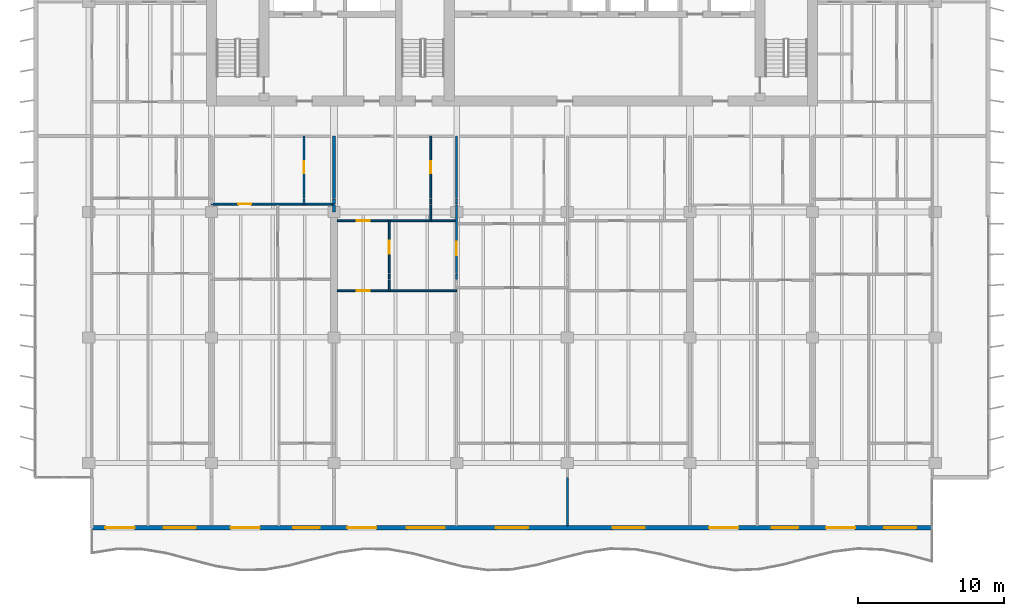
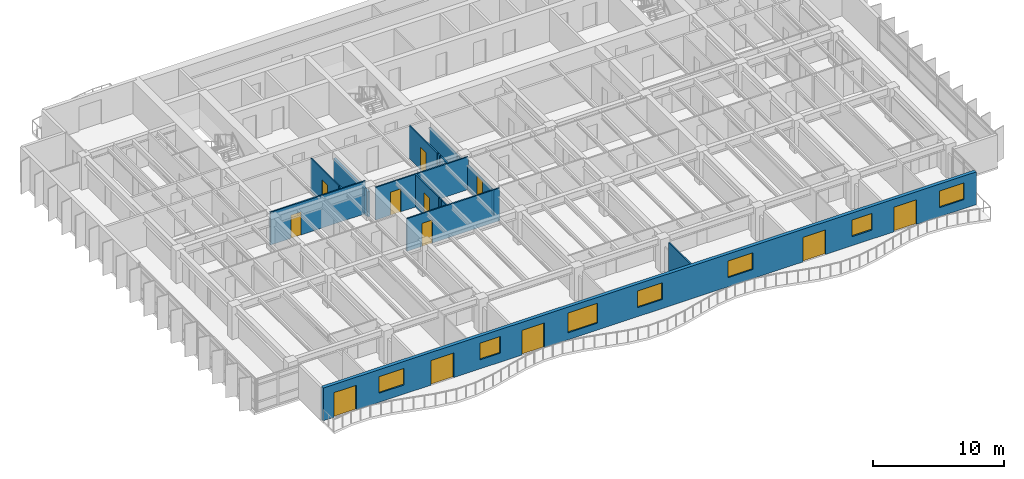
# One storey, part 9 of 18: 20 walls, 12 doors, 7 windows, 19 openings.
"""IFC4 building model written with IfcOpenShell, lengths in metres."""

from ifc_helpers import new_model, si_unit, direction, frame, frame_2d, origin, place, context, subcontext, project, spatial, rectangle, extrude, material, layer, layer_set, type_object, element, fill, save


model = new_model("IFC4")

# Units and contexts
model_context = context("Model", 3, precision=1e-05, world=origin(), true_north=direction((0.0, 1.0)))
body_context = subcontext(model_context, "Body", "Model", "MODEL_VIEW")
ifc_project = project(units=[si_unit("LENGTHUNIT", "METRE"), si_unit("AREAUNIT", "SQUARE_METRE"), si_unit("VOLUMEUNIT", "CUBIC_METRE"), si_unit("PLANEANGLEUNIT", "RADIAN"), si_unit("MASSUNIT", "GRAM", prefix="KILO")], contexts=[model_context])

# Site, building, storey
site_placement = place(None, origin())
site = spatial("IfcSite", under=ifc_project, at=site_placement, CompositionType="ELEMENT")
building_placement = place(site_placement, origin())
building = spatial("IfcBuilding", under=site, at=building_placement, Name="Caelmar Bay Residences", CompositionType="ELEMENT")
storey_placement = place(building_placement, frame((0.0, 0.0, 177.0)))
storey = spatial("IfcBuildingStorey", under=building, at=storey_placement, Name="L49", CompositionType="ELEMENT", Elevation=177.0)

# Wall, openings, doors, windows
ifc_material_1 = material(Name="Precast concrete f'c 40 MPa (6,000 psi)", Category="concrete")
ifc_layer_1 = layer(ifc_material_1, 0.300048828125)
ifc_layer_set_1 = layer_set([ifc_layer_1], Name="Precast concrete f'c 40 MPa (6,000 psi)")
wall_type_1 = type_object("IfcWallType", Name="W-EXT-300", PredefinedType="STANDARD", material=ifc_layer_set_1)
wall_1_placement = place(storey_placement, frame((67.699951171875, 7.75, 0.0), z_axis=(0.0, 0.0, 1.0), x_axis=(-1.0, 0.0, 0.0)))
wall_1 = element("IfcWall", 1, at=wall_1_placement, inside=storey, type_object=wall_type_1, Name="L49 South Bayfront Exterior Wall", PredefinedType="STANDARD", context=body_context, shape_type="SweptSolid", body=[
    extrude(rectangle(XDim=57.599853515625, YDim=0.300048828125, at=frame_2d((28.7998046875, 0.0))), origin(), (0.0, 0.0, 1.0), 3.050048828125),
])
opening_1_placement = place(wall_1_placement, frame((54.673095703125, 0.0, 0.0)))
opening_1 = element("IfcOpeningElement", 2, at=opening_1_placement, cuts=wall_1, Name="Opening L49-BD01", PredefinedType="OPENING", context=body_context, shape_type="SweptSolid", body=[
    extrude(rectangle(XDim=2.0, YDim=2.300048828125, at=frame_2d((1.0, 1.14990234375))), frame((0.0, 0.159912109375, 0.0), z_axis=(0.0, -1.0, 0.0), x_axis=(1.0, 0.0, 0.0)), (0.0, 0.0, 1.0), 0.320068359375),
])
opening_2_placement = place(wall_1_placement, frame((50.472900390625, 0.0, 0.85009765625)))
opening_2 = element("IfcOpeningElement", 3, at=opening_2_placement, cuts=wall_1, Name="Opening WN2", PredefinedType="OPENING", context=body_context, shape_type="SweptSolid", body=[
    extrude(rectangle(XDim=2.199951171875, YDim=1.550048828125, at=frame_2d((1.10009765625, 0.77490234375))), frame((0.0, 0.159912109375, 0.0), z_axis=(0.0, -1.0, 0.0), x_axis=(1.0, 0.0, 0.0)), (0.0, 0.0, 1.0), 0.320068359375),
])
opening_3_placement = place(wall_1_placement, frame((46.090087890625, 0.0, 0.0)))
opening_3 = element("IfcOpeningElement", 4, at=opening_3_placement, cuts=wall_1, Name="Opening L49-BD02", PredefinedType="OPENING", context=body_context, shape_type="SweptSolid", body=[
    extrude(rectangle(XDim=2.0, YDim=2.300048828125, at=frame_2d((1.0, 1.14990234375))), frame((0.0, 0.159912109375, 0.0), z_axis=(0.0, -1.0, 0.0), x_axis=(1.0, 0.0, 0.0)), (0.0, 0.0, 1.0), 0.320068359375),
])
opening_4_placement = place(wall_1_placement, frame((41.989990234375, 0.0, 0.85009765625)))
opening_4 = element("IfcOpeningElement", 5, at=opening_4_placement, cuts=wall_1, Name="Opening WN1", PredefinedType="OPENING", context=body_context, shape_type="SweptSolid", body=[
    extrude(rectangle(XDim=1.800048828125, YDim=1.550048828125, at=frame_2d((0.89990234375, 0.77490234375))), frame((0.0, 0.159912109375, 0.0), z_axis=(0.0, -1.0, 0.0), x_axis=(1.0, 0.0, 0.0)), (0.0, 0.0, 1.0), 0.320068359375),
])
opening_5_placement = place(wall_1_placement, frame((38.090087890625, 0.0, 0.0)))
opening_5 = element("IfcOpeningElement", 6, at=opening_5_placement, cuts=wall_1, Name="Opening L49-BD03", PredefinedType="OPENING", context=body_context, shape_type="SweptSolid", body=[
    extrude(rectangle(XDim=2.0, YDim=2.300048828125, at=frame_2d((1.0, 1.14990234375))), frame((0.0, 0.159912109375, 0.0), z_axis=(0.0, -1.0, 0.0), x_axis=(1.0, 0.0, 0.0)), (0.0, 0.0, 1.0), 0.320068359375),
])
opening_6_placement = place(wall_1_placement, frame((33.409912109375, 0.0, 0.64990234375)))
opening_6 = element("IfcOpeningElement", 7, at=opening_6_placement, cuts=wall_1, Name="Opening WN3", PredefinedType="OPENING", context=body_context, shape_type="SweptSolid", body=[
    extrude(rectangle(XDim=2.60009765625, YDim=1.85009765625, at=frame_2d((1.300048828125, 0.925048828125))), frame((0.0, 0.159912109375, 0.0), z_axis=(0.0, -1.0, 0.0), x_axis=(1.0, 0.0, 0.0)), (0.0, 0.0, 1.0), 0.320068359375),
])
opening_7_placement = place(wall_1_placement, frame((27.699951171875, 0.0, 0.85009765625)))
opening_7 = element("IfcOpeningElement", 8, at=opening_7_placement, cuts=wall_1, Name="Opening WN2", PredefinedType="OPENING", context=body_context, shape_type="SweptSolid", body=[
    extrude(rectangle(XDim=2.199951171875, YDim=1.550048828125, at=frame_2d((1.10009765625, 0.77490234375))), frame((0.0, 0.159912109375, 0.0), z_axis=(0.0, -1.0, 0.0), x_axis=(1.0, 0.0, 0.0)), (0.0, 0.0, 1.0), 0.320068359375),
])
opening_8_placement = place(wall_1_placement, frame((19.699951171875, 0.0, 0.85009765625)))
opening_8 = element("IfcOpeningElement", 9, at=opening_8_placement, cuts=wall_1, Name="Opening WN2", PredefinedType="OPENING", context=body_context, shape_type="SweptSolid", body=[
    extrude(rectangle(XDim=2.199951171875, YDim=1.550048828125, at=frame_2d((1.10009765625, 0.77490234375))), frame((0.0, 0.159912109375, 0.0), z_axis=(0.0, -1.0, 0.0), x_axis=(1.0, 0.0, 0.0)), (0.0, 0.0, 1.0), 0.320068359375),
])
opening_9_placement = place(wall_1_placement, frame((13.2900390625, 0.0, 0.0)))
opening_9 = element("IfcOpeningElement", 10, at=opening_9_placement, cuts=wall_1, Name="Opening L49-BD04", PredefinedType="OPENING", context=body_context, shape_type="SweptSolid", body=[
    extrude(rectangle(XDim=2.0, YDim=2.300048828125, at=frame_2d((1.0, 1.14990234375))), frame((0.0, 0.159912109375, 0.0), z_axis=(0.0, -1.0, 0.0), x_axis=(1.0, 0.0, 0.0)), (0.0, 0.0, 1.0), 0.320068359375),
])
opening_10_placement = place(wall_1_placement, frame((9.18994140625, 0.0, 0.85009765625)))
opening_10 = element("IfcOpeningElement", 11, at=opening_10_placement, cuts=wall_1, Name="Opening WN1", PredefinedType="OPENING", context=body_context, shape_type="SweptSolid", body=[
    extrude(rectangle(XDim=1.800048828125, YDim=1.550048828125, at=frame_2d((0.89990234375, 0.77490234375))), frame((0.0, 0.159912109375, 0.0), z_axis=(0.0, -1.0, 0.0), x_axis=(1.0, 0.0, 0.0)), (0.0, 0.0, 1.0), 0.320068359375),
])
opening_11_placement = place(wall_1_placement, frame((5.27294921875, 0.0, 0.0)))
opening_11 = element("IfcOpeningElement", 12, at=opening_11_placement, cuts=wall_1, Name="Opening L49-BD05", PredefinedType="OPENING", context=body_context, shape_type="SweptSolid", body=[
    extrude(rectangle(XDim=2.0, YDim=2.300048828125, at=frame_2d((1.0, 1.14990234375))), frame((0.0, 0.159912109375, 0.0), z_axis=(0.0, -1.0, 0.0), x_axis=(1.0, 0.0, 0.0)), (0.0, 0.0, 1.0), 0.320068359375),
])
opening_12_placement = place(wall_1_placement, frame((1.072998046875, 0.0, 0.85009765625)))
opening_12 = element("IfcOpeningElement", 13, at=opening_12_placement, cuts=wall_1, Name="Opening WN2", PredefinedType="OPENING", context=body_context, shape_type="SweptSolid", body=[
    extrude(rectangle(XDim=2.199951171875, YDim=1.550048828125, at=frame_2d((1.10009765625, 0.77490234375))), frame((0.0, 0.159912109375, 0.0), z_axis=(0.0, -1.0, 0.0), x_axis=(1.0, 0.0, 0.0)), (0.0, 0.0, 1.0), 0.320068359375),
])
ifc_material_2 = material(Name="Anodised bronze thermally broken sliding glass door", Category="glass")
ifc_layer_2 = layer(ifc_material_2, 0.050048828125)
ifc_layer_set_2 = layer_set([ifc_layer_2], Name="Anodised bronze thermally broken sliding glass door")
door_type_1 = type_object("IfcDoorType", Name="D-BAL-2000", OperationType="DOUBLE_DOOR_SLIDING", PredefinedType="DOOR", material=ifc_layer_set_2)
door_1_placement = place(opening_1_placement, origin())
door_1 = element("IfcDoor", 14, at=door_1_placement, inside=storey, type_object=door_type_1, Name="L49 Residence 01 Living Room Balcony Door", OperationType="DOUBLE_DOOR_SLIDING", OverallHeight=2.300048828125, OverallWidth=2.0, PredefinedType="DOOR", context=body_context, shape_type="SweptSolid", body=[
    extrude(rectangle(XDim=2.0, YDim=2.300048828125, at=frame_2d((1.0, 1.14990234375))), frame((0.0, 0.02490234375, 0.0), z_axis=(0.0, -1.0, 0.0), x_axis=(1.0, 0.0, 0.0)), (0.0, 0.0, 1.0), 0.050048828125),
])
fill(opening_1, door_1)
door_2_placement = place(opening_3_placement, origin())
door_2 = element("IfcDoor", 15, at=door_2_placement, inside=storey, type_object=door_type_1, Name="L49 Residence 02 Penthouse Living Salon Balcony Door", OperationType="DOUBLE_DOOR_SLIDING", OverallHeight=2.300048828125, OverallWidth=2.0, PredefinedType="DOOR", context=body_context, shape_type="SweptSolid", body=[
    extrude(rectangle(XDim=2.0, YDim=2.300048828125, at=frame_2d((1.0, 1.14990234375))), frame((0.0, 0.02490234375, 0.0), z_axis=(0.0, -1.0, 0.0), x_axis=(1.0, 0.0, 0.0)), (0.0, 0.0, 1.0), 0.050048828125),
])
fill(opening_3, door_2)
door_3_placement = place(opening_5_placement, origin())
door_3 = element("IfcDoor", 16, at=door_3_placement, inside=storey, type_object=door_type_1, Name="L49 Residence 03 Penthouse Living Salon Balcony Door", OperationType="DOUBLE_DOOR_SLIDING", OverallHeight=2.300048828125, OverallWidth=2.0, PredefinedType="DOOR", context=body_context, shape_type="SweptSolid", body=[
    extrude(rectangle(XDim=2.0, YDim=2.300048828125, at=frame_2d((1.0, 1.14990234375))), frame((0.0, 0.02490234375, 0.0), z_axis=(0.0, -1.0, 0.0), x_axis=(1.0, 0.0, 0.0)), (0.0, 0.0, 1.0), 0.050048828125),
])
fill(opening_5, door_3)
door_4_placement = place(opening_9_placement, origin())
door_4 = element("IfcDoor", 17, at=door_4_placement, inside=storey, type_object=door_type_1, Name="L49 Residence 04 Penthouse Living Salon Balcony Door", OperationType="DOUBLE_DOOR_SLIDING", OverallHeight=2.300048828125, OverallWidth=2.0, PredefinedType="DOOR", context=body_context, shape_type="SweptSolid", body=[
    extrude(rectangle(XDim=2.0, YDim=2.300048828125, at=frame_2d((1.0, 1.14990234375))), frame((0.0, 0.02490234375, 0.0), z_axis=(0.0, -1.0, 0.0), x_axis=(1.0, 0.0, 0.0)), (0.0, 0.0, 1.0), 0.050048828125),
])
fill(opening_9, door_4)
door_5_placement = place(opening_11_placement, origin())
door_5 = element("IfcDoor", 18, at=door_5_placement, inside=storey, type_object=door_type_1, Name="L49 Residence 05 Living Room Balcony Door", OperationType="DOUBLE_DOOR_SLIDING", OverallHeight=2.300048828125, OverallWidth=2.0, PredefinedType="DOOR", context=body_context, shape_type="SweptSolid", body=[
    extrude(rectangle(XDim=2.0, YDim=2.300048828125, at=frame_2d((1.0, 1.14990234375))), frame((0.0, 0.02490234375, 0.0), z_axis=(0.0, -1.0, 0.0), x_axis=(1.0, 0.0, 0.0)), (0.0, 0.0, 1.0), 0.050048828125),
])
fill(opening_11, door_5)
ifc_material_3 = material(Name="Bronze aluminium frame with laminated low-E glass", Category="aluminium")
ifc_layer_3 = layer(ifc_material_3, 0.06005859375)
ifc_layer_set_3 = layer_set([ifc_layer_3], Name="Bronze aluminium frame with laminated low-E glass")
window_type_1 = type_object("IfcWindowType", Name="WIN-BR-1800", PartitioningType="SINGLE_PANEL", PredefinedType="WINDOW", material=ifc_layer_set_3)
window_1_placement = place(opening_4_placement, origin())
window_1 = element("IfcWindow", 19, at=window_1_placement, inside=storey, type_object=window_type_1, Name="L49 Residence 02 Primary Bedroom Window", OverallHeight=1.550048828125, OverallWidth=1.800048828125, PartitioningType="SINGLE_PANEL", PredefinedType="WINDOW", context=body_context, shape_type="SweptSolid", body=[
    extrude(rectangle(XDim=1.800048828125, YDim=1.550048828125, at=frame_2d((0.89990234375, 0.77490234375))), frame((0.0, 0.030029296875, 0.0), z_axis=(0.0, -1.0, 0.0), x_axis=(1.0, 0.0, 0.0)), (0.0, 0.0, 1.0), 0.06005859375),
])
fill(opening_4, window_1)
window_2_placement = place(opening_10_placement, origin())
window_2 = element("IfcWindow", 20, at=window_2_placement, inside=storey, type_object=window_type_1, Name="L49 Residence 04 Primary Bedroom Window", OverallHeight=1.550048828125, OverallWidth=1.800048828125, PartitioningType="SINGLE_PANEL", PredefinedType="WINDOW", context=body_context, shape_type="SweptSolid", body=[
    extrude(rectangle(XDim=1.800048828125, YDim=1.550048828125, at=frame_2d((0.89990234375, 0.77490234375))), frame((0.0, 0.030029296875, 0.0), z_axis=(0.0, -1.0, 0.0), x_axis=(1.0, 0.0, 0.0)), (0.0, 0.0, 1.0), 0.06005859375),
])
fill(opening_10, window_2)
ifc_layer_4 = layer(ifc_material_3, 0.06005859375)
ifc_layer_set_4 = layer_set([ifc_layer_4], Name="Bronze aluminium frame with laminated low-E glass")
window_type_2 = type_object("IfcWindowType", Name="WIN-BR-2200", PartitioningType="SINGLE_PANEL", PredefinedType="WINDOW", material=ifc_layer_set_4)
window_3_placement = place(opening_2_placement, origin())
window_3 = element("IfcWindow", 21, at=window_3_placement, inside=storey, type_object=window_type_2, Name="L49 Residence 01 Primary Bedroom Window", OverallHeight=1.550048828125, OverallWidth=2.199951171875, PartitioningType="SINGLE_PANEL", PredefinedType="WINDOW", context=body_context, shape_type="SweptSolid", body=[
    extrude(rectangle(XDim=2.199951171875, YDim=1.550048828125, at=frame_2d((1.10009765625, 0.77490234375))), frame((0.0, 0.030029296875, 0.0), z_axis=(0.0, -1.0, 0.0), x_axis=(1.0, 0.0, 0.0)), (0.0, 0.0, 1.0), 0.06005859375),
])
fill(opening_2, window_3)
window_4_placement = place(opening_7_placement, origin())
window_4 = element("IfcWindow", 22, at=window_4_placement, inside=storey, type_object=window_type_2, Name="L49 Residence 03 Primary Bedroom 1 Window", OverallHeight=1.550048828125, OverallWidth=2.199951171875, PartitioningType="SINGLE_PANEL", PredefinedType="WINDOW", context=body_context, shape_type="SweptSolid", body=[
    extrude(rectangle(XDim=2.199951171875, YDim=1.550048828125, at=frame_2d((1.10009765625, 0.77490234375))), frame((0.0, 0.030029296875, 0.0), z_axis=(0.0, -1.0, 0.0), x_axis=(1.0, 0.0, 0.0)), (0.0, 0.0, 1.0), 0.06005859375),
])
fill(opening_7, window_4)
window_5_placement = place(opening_8_placement, origin())
window_5 = element("IfcWindow", 23, at=window_5_placement, inside=storey, type_object=window_type_2, Name="L49 Residence 03 Primary Bedroom 2 Window", OverallHeight=1.550048828125, OverallWidth=2.199951171875, PartitioningType="SINGLE_PANEL", PredefinedType="WINDOW", context=body_context, shape_type="SweptSolid", body=[
    extrude(rectangle(XDim=2.199951171875, YDim=1.550048828125, at=frame_2d((1.10009765625, 0.77490234375))), frame((0.0, 0.030029296875, 0.0), z_axis=(0.0, -1.0, 0.0), x_axis=(1.0, 0.0, 0.0)), (0.0, 0.0, 1.0), 0.06005859375),
])
fill(opening_8, window_5)
window_6_placement = place(opening_12_placement, origin())
window_6 = element("IfcWindow", 24, at=window_6_placement, inside=storey, type_object=window_type_2, Name="L49 Residence 05 Primary Bedroom Window", OverallHeight=1.550048828125, OverallWidth=2.199951171875, PartitioningType="SINGLE_PANEL", PredefinedType="WINDOW", context=body_context, shape_type="SweptSolid", body=[
    extrude(rectangle(XDim=2.199951171875, YDim=1.550048828125, at=frame_2d((1.10009765625, 0.77490234375))), frame((0.0, 0.030029296875, 0.0), z_axis=(0.0, -1.0, 0.0), x_axis=(1.0, 0.0, 0.0)), (0.0, 0.0, 1.0), 0.06005859375),
])
fill(opening_12, window_6)
ifc_layer_5 = layer(ifc_material_3, 0.06005859375)
ifc_layer_set_5 = layer_set([ifc_layer_5], Name="Bronze aluminium frame with laminated low-E glass")
window_type_3 = type_object("IfcWindowType", Name="WIN-LIV-2600", PartitioningType="SINGLE_PANEL", PredefinedType="WINDOW", material=ifc_layer_set_5)
window_7_placement = place(opening_6_placement, origin())
window_7 = element("IfcWindow", 25, at=window_7_placement, inside=storey, type_object=window_type_3, Name="L49 Residence 03 Penthouse Living Salon Panoramic Window", OverallHeight=1.85009765625, OverallWidth=2.60009765625, PartitioningType="SINGLE_PANEL", PredefinedType="WINDOW", context=body_context, shape_type="SweptSolid", body=[
    extrude(rectangle(XDim=2.60009765625, YDim=1.85009765625, at=frame_2d((1.300048828125, 0.925048828125))), frame((0.0, 0.030029296875, 0.0), z_axis=(0.0, -1.0, 0.0), x_axis=(1.0, 0.0, 0.0)), (0.0, 0.0, 1.0), 0.06005859375),
])
fill(opening_6, window_7)

# Wall
ifc_material_4 = material(Name="Acoustic metal-stud gypsum partition 120 mm")
ifc_layer_6 = layer(ifc_material_4, 0.1201171875)
ifc_layer_set_6 = layer_set([ifc_layer_6], Name="Acoustic metal-stud gypsum partition 120 mm")
wall_type_2 = type_object("IfcWallType", Name="W-PRT-120", PredefinedType="PARTITIONING", material=ifc_layer_set_6)
wall_2_placement = place(storey_placement, frame((24.639892578125, 29.93994140625, 0.0), z_axis=(0.0, 0.0, 1.0), x_axis=(0.0, 1.0, 0.0)))
element("IfcWall", 26, at=wall_2_placement, inside=storey, type_object=wall_type_2, Name="L49 Partition Wall V028", PredefinedType="PARTITIONING", context=body_context, shape_type="SweptSolid", body=[
    extrude(rectangle(XDim=0.340087890625, YDim=0.1201171875, at=frame_2d((0.169921875, 0.0))), origin(), (0.0, 0.0, 1.0), 3.050048828125),
])

# Wall, opening, door
wall_3_placement = place(storey_placement, frame((24.639892578125, 30.340087890625, 0.0), z_axis=(0.0, 0.0, 1.0), x_axis=(0.0, 1.0, 0.0)))
wall_3 = element("IfcWall", 27, at=wall_3_placement, inside=storey, type_object=wall_type_2, Name="L49 Partition Wall V029", PredefinedType="PARTITIONING", context=body_context, shape_type="SweptSolid", body=[
    extrude(rectangle(XDim=4.260009765625, YDim=0.1201171875, at=frame_2d((2.1298828125, 0.0))), origin(), (0.0, 0.0, 1.0), 3.050048828125),
])
opening_13_placement = place(wall_3_placement, frame((1.705078125, 0.0, 0.0)))
opening_13 = element("IfcOpeningElement", 28, at=opening_13_placement, cuts=wall_3, Name="Opening D-L49-128", PredefinedType="OPENING", context=body_context, shape_type="SweptSolid", body=[
    extrude(rectangle(XDim=0.85009765625, YDim=2.10009765625, at=frame_2d((0.425048828125, 1.050048828125))), frame((0.0, 0.070068359375, 0.0), z_axis=(0.0, -1.0, 0.0), x_axis=(1.0, 0.0, 0.0)), (0.0, 0.0, 1.0), 0.14013671875),
])
ifc_material_5 = material(Name="Solid walnut timber interior door leaf and frame", Category="wood")
ifc_layer_7 = layer(ifc_material_5, 0.050048828125)
ifc_layer_set_7 = layer_set([ifc_layer_7], Name="Solid walnut timber interior door leaf and frame")
door_type_2 = type_object("IfcDoorType", Name="D-BATH-850", OperationType="NOTDEFINED", PredefinedType="DOOR", material=ifc_layer_set_7)
door_6_placement = place(opening_13_placement, origin())
door_6 = element("IfcDoor", 29, at=door_6_placement, inside=storey, type_object=door_type_2, Name="L49 Residence 02 Bathroom Door", OperationType="SINGLE_SWING_LEFT", OverallHeight=2.10009765625, OverallWidth=0.85009765625, PredefinedType="DOOR", context=body_context, shape_type="SweptSolid", body=[
    extrude(rectangle(XDim=0.85009765625, YDim=2.10009765625, at=frame_2d((0.425048828125, 1.050048828125))), frame((0.0, 0.02490234375, 0.0), z_axis=(0.0, -1.0, 0.0), x_axis=(1.0, 0.0, 0.0)), (0.0, 0.0, 1.0), 0.050048828125),
])
fill(opening_13, door_6)

# Walls
wall_4_placement = place(storey_placement, frame((30.47998046875, 24.0, 0.0), z_axis=(0.0, 0.0, 1.0), x_axis=(0.0, 1.0, 0.0)))
element("IfcWall", 30, at=wall_4_placement, inside=storey, type_object=wall_type_2, Name="L49 Partition Wall V038", PredefinedType="PARTITIONING", context=body_context, shape_type="SweptSolid", body=[
    extrude(rectangle(XDim=0.72998046875, YDim=0.1201171875, at=frame_2d((0.364990234375, 0.0))), origin(), (0.0, 0.0, 1.0), 3.050048828125),
])
wall_5_placement = place(storey_placement, frame((30.47998046875, 24.7900390625, 0.0), z_axis=(0.0, 0.0, 1.0), x_axis=(0.0, 1.0, 0.0)))
element("IfcWall", 31, at=wall_5_placement, inside=storey, type_object=wall_type_2, Name="L49 Partition Wall V039", PredefinedType="PARTITIONING", context=body_context, shape_type="SweptSolid", body=[
    extrude(rectangle(XDim=0.33984375, YDim=0.1201171875, at=frame_2d((0.169921875, 0.0))), origin(), (0.0, 0.0, 1.0), 3.050048828125),
])

# Wall, opening, door
wall_6_placement = place(storey_placement, frame((30.47998046875, 25.18994140625, 0.0), z_axis=(0.0, 0.0, 1.0), x_axis=(0.0, 1.0, 0.0)))
wall_6 = element("IfcWall", 32, at=wall_6_placement, inside=storey, type_object=wall_type_2, Name="L49 Partition Wall V040", PredefinedType="PARTITIONING", context=body_context, shape_type="SweptSolid", body=[
    extrude(rectangle(XDim=3.610107421875, YDim=0.1201171875, at=frame_2d((1.80517578125, 0.0))), origin(), (0.0, 0.0, 1.0), 3.050048828125),
])
opening_14_placement = place(wall_6_placement, frame((1.35498046875, 0.0, 0.0)))
opening_14 = element("IfcOpeningElement", 33, at=opening_14_placement, cuts=wall_6, Name="Opening D-L49-137", PredefinedType="OPENING", context=body_context, shape_type="SweptSolid", body=[
    extrude(rectangle(XDim=0.89990234375, YDim=2.14990234375, at=frame_2d((0.449951171875, 1.074951171875))), frame((0.0, 0.070068359375, 0.0), z_axis=(0.0, -1.0, 0.0), x_axis=(1.0, 0.0, 0.0)), (0.0, 0.0, 1.0), 0.14013671875),
])
ifc_layer_8 = layer(ifc_material_5, 0.050048828125)
ifc_layer_set_8 = layer_set([ifc_layer_8], Name="Solid walnut timber interior door leaf and frame")
door_type_3 = type_object("IfcDoorType", Name="D-ROOM-900", OperationType="NOTDEFINED", PredefinedType="DOOR", material=ifc_layer_set_8)
door_7_placement = place(opening_14_placement, origin())
door_7 = element("IfcDoor", 34, at=door_7_placement, inside=storey, type_object=door_type_3, Name="L49 Residence 03 Kitchen Door", OperationType="SINGLE_SWING_RIGHT", OverallHeight=2.14990234375, OverallWidth=0.89990234375, PredefinedType="DOOR", context=body_context, shape_type="SweptSolid", body=[
    extrude(rectangle(XDim=0.89990234375, YDim=2.14990234375, at=frame_2d((0.449951171875, 1.074951171875))), frame((0.0, 0.02490234375, 0.0), z_axis=(0.0, -1.0, 0.0), x_axis=(1.0, 0.0, 0.0)), (0.0, 0.0, 1.0), 0.050048828125),
])
fill(opening_14, door_7)

# Walls
wall_7_placement = place(storey_placement, frame((33.323974609375, 28.800048828125, 0.0), z_axis=(0.0, 0.0, 1.0), x_axis=(0.0, 1.0, 0.0)))
element("IfcWall", 35, at=wall_7_placement, inside=storey, type_object=wall_type_2, Name="L49 Partition Wall V041", PredefinedType="PARTITIONING", context=body_context, shape_type="SweptSolid", body=[
    extrude(rectangle(XDim=1.079833984375, YDim=0.1201171875, at=frame_2d((0.5400390625, 0.0))), origin(), (0.0, 0.0, 1.0), 3.050048828125),
])
wall_8_placement = place(storey_placement, frame((33.323974609375, 29.93994140625, 0.0), z_axis=(0.0, 0.0, 1.0), x_axis=(0.0, 1.0, 0.0)))
element("IfcWall", 36, at=wall_8_placement, inside=storey, type_object=wall_type_2, Name="L49 Partition Wall V042", PredefinedType="PARTITIONING", context=body_context, shape_type="SweptSolid", body=[
    extrude(rectangle(XDim=0.340087890625, YDim=0.1201171875, at=frame_2d((0.169921875, 0.0))), origin(), (0.0, 0.0, 1.0), 3.050048828125),
])

# Wall, opening, door
wall_9_placement = place(storey_placement, frame((33.323974609375, 30.340087890625, 0.0), z_axis=(0.0, 0.0, 1.0), x_axis=(0.0, 1.0, 0.0)))
wall_9 = element("IfcWall", 37, at=wall_9_placement, inside=storey, type_object=wall_type_2, Name="L49 Partition Wall V043", PredefinedType="PARTITIONING", context=body_context, shape_type="SweptSolid", body=[
    extrude(rectangle(XDim=4.260009765625, YDim=0.1201171875, at=frame_2d((2.1298828125, 0.0))), origin(), (0.0, 0.0, 1.0), 3.050048828125),
])
opening_15_placement = place(wall_9_placement, frame((1.705078125, 0.0, 0.0)))
opening_15 = element("IfcOpeningElement", 38, at=opening_15_placement, cuts=wall_9, Name="Opening D-L49-135", PredefinedType="OPENING", context=body_context, shape_type="SweptSolid", body=[
    extrude(rectangle(XDim=0.85009765625, YDim=2.10009765625, at=frame_2d((0.425048828125, 1.050048828125))), frame((0.0, 0.070068359375, 0.0), z_axis=(0.0, -1.0, 0.0), x_axis=(1.0, 0.0, 0.0)), (0.0, 0.0, 1.0), 0.14013671875),
])
door_8_placement = place(opening_15_placement, origin())
door_8 = element("IfcDoor", 39, at=door_8_placement, inside=storey, type_object=door_type_2, Name="L49 Residence 03 Guest Bathroom Door", OperationType="SINGLE_SWING_RIGHT", OverallHeight=2.10009765625, OverallWidth=0.85009765625, PredefinedType="DOOR", context=body_context, shape_type="SweptSolid", body=[
    extrude(rectangle(XDim=0.85009765625, YDim=2.10009765625, at=frame_2d((0.425048828125, 1.050048828125))), frame((0.0, 0.02490234375, 0.0), z_axis=(0.0, -1.0, 0.0), x_axis=(1.0, 0.0, 0.0)), (0.0, 0.0, 1.0), 0.050048828125),
])
fill(opening_15, door_8)

# Wall
wall_10_placement = place(storey_placement, frame((35.10009765625, 24.7900390625, 0.0), z_axis=(0.0, 0.0, 1.0), x_axis=(0.0, 1.0, 0.0)))
element("IfcWall", 40, at=wall_10_placement, inside=storey, type_object=wall_type_2, Name="L49 Partition Wall V046", PredefinedType="PARTITIONING", context=body_context, shape_type="SweptSolid", body=[
    extrude(rectangle(XDim=0.33984375, YDim=0.1201171875, at=frame_2d((0.169921875, 0.0))), origin(), (0.0, 0.0, 1.0), 2.262939453125),
])

# Wall, opening, door
wall_11_placement = place(storey_placement, frame((35.10009765625, 25.18994140625, 0.0), z_axis=(0.0, 0.0, 1.0), x_axis=(0.0, 1.0, 0.0)))
wall_11 = element("IfcWall", 41, at=wall_11_placement, inside=storey, type_object=wall_type_2, Name="L49 Partition Wall V047", PredefinedType="PARTITIONING", context=body_context, shape_type="SweptSolid", body=[
    extrude(rectangle(XDim=4.68994140625, YDim=0.1201171875, at=frame_2d((2.344970703125, 0.0))), origin(), (0.0, 0.0, 1.0), 2.262939453125),
])
opening_16_placement = place(wall_11_placement, frame((1.2548828125, 0.0, 0.0)))
opening_16 = element("IfcOpeningElement", 42, at=opening_16_placement, cuts=wall_11, Name="Opening D-L49-139", PredefinedType="OPENING", context=body_context, shape_type="SweptSolid", body=[
    extrude(rectangle(XDim=0.89990234375, YDim=2.14990234375, at=frame_2d((0.449951171875, 1.074951171875))), frame((0.0, 0.070068359375, 0.0), z_axis=(0.0, -1.0, 0.0), x_axis=(1.0, 0.0, 0.0)), (0.0, 0.0, 1.0), 0.14013671875),
])
door_9_placement = place(opening_16_placement, origin())
door_9 = element("IfcDoor", 43, at=door_9_placement, inside=storey, type_object=door_type_3, Name="L49 Residence 03 Formal Dining Room 1 Door", OperationType="SINGLE_SWING_RIGHT", OverallHeight=2.14990234375, OverallWidth=0.89990234375, PredefinedType="DOOR", context=body_context, shape_type="SweptSolid", body=[
    extrude(rectangle(XDim=0.89990234375, YDim=2.14990234375, at=frame_2d((0.449951171875, 1.074951171875))), frame((0.0, 0.02490234375, 0.0), z_axis=(0.0, -1.0, 0.0), x_axis=(1.0, 0.0, 0.0)), (0.0, 0.0, 1.0), 0.050048828125),
])
fill(opening_16, door_9)

# Walls
wall_12_placement = place(storey_placement, frame((35.10009765625, 29.93994140625, 0.0), z_axis=(0.0, 0.0, 1.0), x_axis=(0.0, 1.0, 0.0)))
element("IfcWall", 44, at=wall_12_placement, inside=storey, type_object=wall_type_2, Name="L49 Partition Wall V048", PredefinedType="PARTITIONING", context=body_context, shape_type="SweptSolid", body=[
    extrude(rectangle(XDim=0.340087890625, YDim=0.1201171875, at=frame_2d((0.169921875, 0.0))), origin(), (0.0, 0.0, 1.0), 2.262939453125),
])
wall_13_placement = place(storey_placement, frame((35.10009765625, 30.340087890625, 0.0), z_axis=(0.0, 0.0, 1.0), x_axis=(0.0, 1.0, 0.0)))
element("IfcWall", 45, at=wall_13_placement, inside=storey, type_object=wall_type_2, Name="L49 Partition Wall V049", PredefinedType="PARTITIONING", context=body_context, shape_type="SweptSolid", body=[
    extrude(rectangle(XDim=4.260009765625, YDim=0.1201171875, at=frame_2d((2.1298828125, 0.0))), origin(), (0.0, 0.0, 1.0), 2.262939453125),
])
wall_14_placement = place(storey_placement, frame((42.699951171875, 7.89501953125, 0.0), z_axis=(0.0, 0.0, 1.0), x_axis=(0.0, 1.0, 0.0)))
element("IfcWall", 46, at=wall_14_placement, inside=storey, type_object=wall_type_2, Name="L49 Partition Wall V055", PredefinedType="PARTITIONING", context=body_context, shape_type="SweptSolid", body=[
    extrude(rectangle(XDim=3.304931640625, YDim=0.1201171875, at=frame_2d((1.65234375, 0.0))), origin(), (0.0, 0.0, 1.0), 3.050048828125),
])

# Wall, opening, door
wall_15_placement = place(storey_placement, frame((26.919921875, 24.0, 0.0), z_axis=(0.0, 0.0, 1.0), x_axis=(1.0, 0.0, 0.0)))
wall_15 = element("IfcWall", 47, at=wall_15_placement, inside=storey, type_object=wall_type_2, Name="L49 Partition Wall H110", PredefinedType="PARTITIONING", context=body_context, shape_type="SweptSolid", body=[
    extrude(rectangle(XDim=8.18017578125, YDim=0.1201171875, at=frame_2d((4.090087890625, 0.0))), origin(), (0.0, 0.0, 1.0), 3.050048828125),
])
opening_17_placement = place(wall_15_placement, frame((1.330078125, 0.0, 0.0)))
opening_17 = element("IfcOpeningElement", 48, at=opening_17_placement, cuts=wall_15, Name="Opening D-L49-138", PredefinedType="OPENING", context=body_context, shape_type="SweptSolid", body=[
    extrude(rectangle(XDim=0.89990234375, YDim=2.14990234375, at=frame_2d((0.449951171875, 1.074951171875))), frame((0.0, 0.070068359375, 0.0), z_axis=(0.0, -1.0, 0.0), x_axis=(1.0, 0.0, 0.0)), (0.0, 0.0, 1.0), 0.14013671875),
])
door_10_placement = place(opening_17_placement, origin())
door_10 = element("IfcDoor", 49, at=door_10_placement, inside=storey, type_object=door_type_3, Name="L49 Residence 03 Penthouse Living Salon Door", OperationType="SINGLE_SWING_LEFT", OverallHeight=2.14990234375, OverallWidth=0.89990234375, PredefinedType="DOOR", context=body_context, shape_type="SweptSolid", body=[
    extrude(rectangle(XDim=0.89990234375, YDim=2.14990234375, at=frame_2d((0.449951171875, 1.074951171875))), frame((0.0, 0.02490234375, 0.0), z_axis=(0.0, -1.0, 0.0), x_axis=(1.0, 0.0, 0.0)), (0.0, 0.0, 1.0), 0.050048828125),
])
fill(opening_17, door_10)

wall_16_placement = place(storey_placement, frame((26.919921875, 28.800048828125, 0.0), z_axis=(0.0, 0.0, 1.0), x_axis=(1.0, 0.0, 0.0)))
wall_16 = element("IfcWall", 50, at=wall_16_placement, inside=storey, type_object=wall_type_2, Name="L49 Partition Wall H119", PredefinedType="PARTITIONING", context=body_context, shape_type="SweptSolid", body=[
    extrude(rectangle(XDim=8.175048828125, YDim=0.1201171875, at=frame_2d((4.08740234375, 0.0))), origin(), (0.0, 0.0, 1.0), 3.050048828125),
])
opening_18_placement = place(wall_16_placement, frame((1.330078125, 0.0, 0.0)))
opening_18 = element("IfcOpeningElement", 51, at=opening_18_placement, cuts=wall_16, Name="Opening D-L49-136", PredefinedType="OPENING", context=body_context, shape_type="SweptSolid", body=[
    extrude(rectangle(XDim=0.89990234375, YDim=2.14990234375, at=frame_2d((0.449951171875, 1.074951171875))), frame((0.0, 0.070068359375, 0.0), z_axis=(0.0, -1.0, 0.0), x_axis=(1.0, 0.0, 0.0)), (0.0, 0.0, 1.0), 0.14013671875),
])
door_11_placement = place(opening_18_placement, origin())
door_11 = element("IfcDoor", 52, at=door_11_placement, inside=storey, type_object=door_type_3, Name="L49 Residence 03 Dining Room Door", OperationType="SINGLE_SWING_LEFT", OverallHeight=2.14990234375, OverallWidth=0.89990234375, PredefinedType="DOOR", context=body_context, shape_type="SweptSolid", body=[
    extrude(rectangle(XDim=0.89990234375, YDim=2.14990234375, at=frame_2d((0.449951171875, 1.074951171875))), frame((0.0, 0.02490234375, 0.0), z_axis=(0.0, -1.0, 0.0), x_axis=(1.0, 0.0, 0.0)), (0.0, 0.0, 1.0), 0.050048828125),
])
fill(opening_18, door_11)

wall_17_placement = place(storey_placement, frame((18.300048828125, 29.93994140625, 0.0), z_axis=(0.0, 0.0, 1.0), x_axis=(1.0, 0.0, 0.0)))
wall_17 = element("IfcWall", 53, at=wall_17_placement, inside=storey, type_object=wall_type_2, Name="L49 Partition Wall H122", PredefinedType="PARTITIONING", context=body_context, shape_type="SweptSolid", body=[
    extrude(rectangle(XDim=8.39990234375, YDim=0.1201171875, at=frame_2d((4.199951171875, 0.0))), origin(), (0.0, 0.0, 1.0), 3.050048828125),
])
opening_19_placement = place(wall_17_placement, frame((1.818115234375, 0.0, 0.0)))
opening_19 = element("IfcOpeningElement", 54, at=opening_19_placement, cuts=wall_17, Name="Opening D-L49-129", PredefinedType="OPENING", context=body_context, shape_type="SweptSolid", body=[
    extrude(rectangle(XDim=0.89990234375, YDim=2.14990234375, at=frame_2d((0.449951171875, 1.074951171875))), frame((0.0, 0.070068359375, 0.0), z_axis=(0.0, -1.0, 0.0), x_axis=(1.0, 0.0, 0.0)), (0.0, 0.0, 1.0), 0.14013671875),
])
door_12_placement = place(opening_19_placement, origin())
door_12 = element("IfcDoor", 55, at=door_12_placement, inside=storey, type_object=door_type_3, Name="L49 Residence 02 Kitchen Door", OperationType="SINGLE_SWING_RIGHT", OverallHeight=2.14990234375, OverallWidth=0.89990234375, PredefinedType="DOOR", context=body_context, shape_type="SweptSolid", body=[
    extrude(rectangle(XDim=0.89990234375, YDim=2.14990234375, at=frame_2d((0.449951171875, 1.074951171875))), frame((0.0, 0.02490234375, 0.0), z_axis=(0.0, -1.0, 0.0), x_axis=(1.0, 0.0, 0.0)), (0.0, 0.0, 1.0), 0.050048828125),
])
fill(opening_19, door_12)

# Walls
ifc_material_6 = material(Name="Acoustic twin-stud fire-rated inter-tenancy partition 200 mm")
ifc_layer_9 = layer(ifc_material_6, 0.199951171875)
ifc_layer_set_9 = layer_set([ifc_layer_9], Name="Acoustic twin-stud fire-rated inter-tenancy partition 200 mm")
wall_type_3 = type_object("IfcWallType", Name="W-PTY-200", PredefinedType="PARTITIONING", material=ifc_layer_set_9)
wall_18_placement = place(storey_placement, frame((26.699951171875, 29.405029296875, 0.0), z_axis=(0.0, 0.0, 1.0), x_axis=(0.0, 1.0, 0.0)))
element("IfcWall", 56, at=wall_18_placement, inside=storey, type_object=wall_type_3, Name="L49 Partition Wall V033", PredefinedType="PARTITIONING", context=body_context, shape_type="SweptSolid", body=[
    extrude(rectangle(XDim=0.474853515625, YDim=0.199951171875, at=frame_2d((0.2373046875, 0.0))), origin(), (0.0, 0.0, 1.0), 2.3349609375),
])
wall_19_placement = place(storey_placement, frame((26.699951171875, 29.93994140625, 0.0), z_axis=(0.0, 0.0, 1.0), x_axis=(0.0, 1.0, 0.0)))
element("IfcWall", 57, at=wall_19_placement, inside=storey, type_object=wall_type_3, Name="L49 Partition Wall V034", PredefinedType="PARTITIONING", context=body_context, shape_type="SweptSolid", body=[
    extrude(rectangle(XDim=0.340087890625, YDim=0.199951171875, at=frame_2d((0.169921875, 0.0))), origin(), (0.0, 0.0, 1.0), 2.3349609375),
])
wall_20_placement = place(storey_placement, frame((26.699951171875, 30.340087890625, 0.0), z_axis=(0.0, 0.0, 1.0), x_axis=(0.0, 1.0, 0.0)))
element("IfcWall", 58, at=wall_20_placement, inside=storey, type_object=wall_type_3, Name="L49 Partition Wall V035", PredefinedType="PARTITIONING", context=body_context, shape_type="SweptSolid", body=[
    extrude(rectangle(XDim=4.260009765625, YDim=0.199951171875, at=frame_2d((2.1298828125, 0.0))), origin(), (0.0, 0.0, 1.0), 2.3349609375),
])

save(model, "model.ifc")
